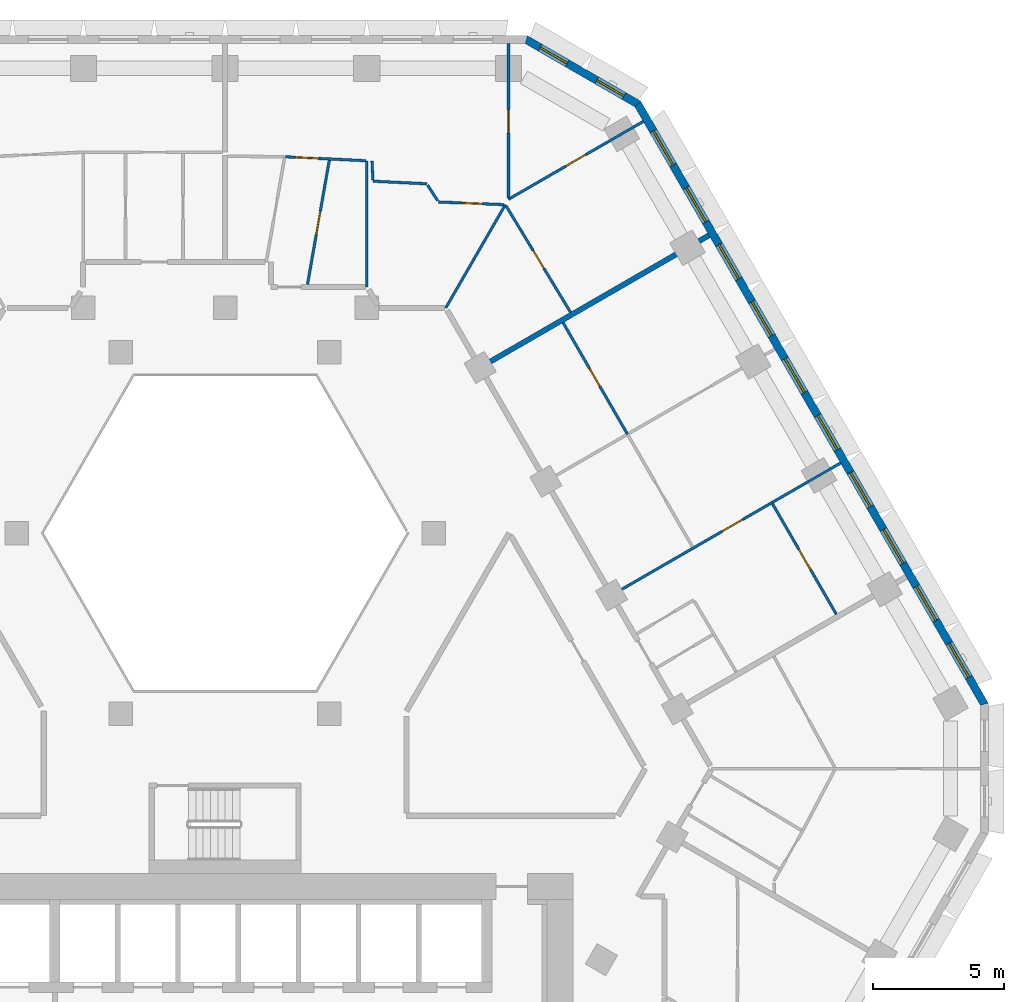
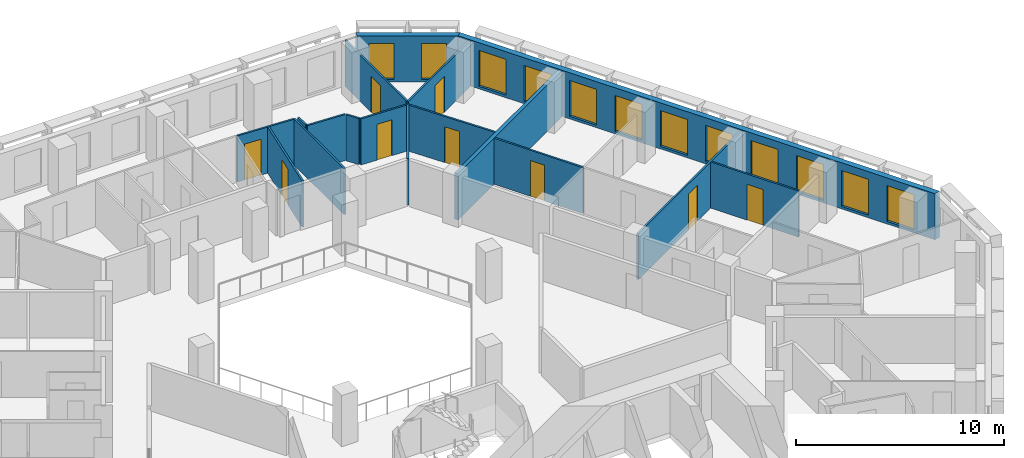
# One storey, part 10 of 18: 17 walls, 12 windows, 9 doors, 21 openings.
"""IFC4 building model written with IfcOpenShell, lengths in metres."""

from ifc_helpers import new_model, si_unit, direction, frame, frame_2d, origin, place, context, subcontext, project, spatial, polyline, rectangle, outline, extrude, material, layer, layer_set, type_object, element, fill, save


model = new_model("IFC4")

# Units and contexts
model_context = context("Model", 3, precision=1e-05, world=origin(), true_north=direction((0.0, 1.0)))
body_context = subcontext(model_context, "Body", "Model", "MODEL_VIEW")
ifc_project = project(units=[si_unit("LENGTHUNIT", "METRE"), si_unit("AREAUNIT", "SQUARE_METRE"), si_unit("VOLUMEUNIT", "CUBIC_METRE"), si_unit("PLANEANGLEUNIT", "RADIAN"), si_unit("MASSUNIT", "GRAM", prefix="KILO")], contexts=[model_context])

# Site, building, storey
site_placement = place(None, origin())
site = spatial("IfcSite", under=ifc_project, at=site_placement, CompositionType="ELEMENT")
building_placement = place(site_placement, origin())
building = spatial("IfcBuilding", under=site, at=building_placement, Name="Beryl Residences", CompositionType="ELEMENT")
storey_placement = place(building_placement, frame((0.0, 0.0, 81.0)))
storey = spatial("IfcBuildingStorey", under=building, at=storey_placement, Name="L24", CompositionType="ELEMENT", Elevation=81.0)

# Wall, openings, windows
ifc_material_1 = material(Name="Composite metal panel with mineral wool insulation")
ifc_layer_1 = layer(ifc_material_1, 0.300048828125)
ifc_layer_set_1 = layer_set([ifc_layer_1], Name="ES1 pale metal composite panel wall 300 mm")
wall_type_1 = type_object("IfcWallType", Name="ES1 pale metal composite panel wall 300 mm", PredefinedType="SOLIDWALL", material=ifc_layer_set_1)
wall_1_placement = place(storey_placement, frame((29.027099609375, 1.425048828125, 0.0), z_axis=(0.0, 0.0, 1.0), x_axis=(-0.500027479704, 0.866009537788, 0.0)))
wall_1 = element("IfcWall", 1, at=wall_1_placement, inside=storey, type_object=wall_type_1, Name="ES1 external wall L24 NE", PredefinedType="SOLIDWALL", context=body_context, shape_type="SweptSolid", body=[
    extrude(outline(polyline([(0.0, -0.14990234375), (26.55859375, -0.14990234375), (26.478271484375, 0.14990234375), (0.080322265625, 0.14990234375), (0.0, -0.14990234375)])), origin(), (0.0, 0.0, 1.0), 2.699951171875),
])
opening_1_placement = place(wall_1_placement, frame((1.22705078125, 0.0, 0.14990234375)))
opening_1 = element("IfcOpeningElement", 2, at=opening_1_placement, cuts=wall_1, Name="Opening W1", PredefinedType="OPENING", context=body_context, shape_type="SweptSolid", body=[
    extrude(rectangle(XDim=1.5, YDim=2.10009765625, at=frame_2d((0.75, 1.050048828125))), frame((0.0, 0.159912109375, 0.0), z_axis=(0.0, -1.0, 0.0), x_axis=(1.0, 0.0, 0.0)), (0.0, 0.0, 1.0), 0.320068359375),
])
opening_2_placement = place(wall_1_placement, frame((3.738037109375, 0.0, 0.14990234375)))
opening_2 = element("IfcOpeningElement", 3, at=opening_2_placement, cuts=wall_1, Name="Opening W1", PredefinedType="OPENING", context=body_context, shape_type="SweptSolid", body=[
    extrude(rectangle(XDim=1.5, YDim=2.10009765625, at=frame_2d((0.75, 1.050048828125))), frame((0.0, 0.159912109375, 0.0), z_axis=(0.0, -1.0, 0.0), x_axis=(1.0, 0.0, 0.0)), (0.0, 0.0, 1.0), 0.320068359375),
])
opening_3_placement = place(wall_1_placement, frame((6.25, 0.0, 0.14990234375)))
opening_3 = element("IfcOpeningElement", 4, at=opening_3_placement, cuts=wall_1, Name="Opening W1", PredefinedType="OPENING", context=body_context, shape_type="SweptSolid", body=[
    extrude(rectangle(XDim=1.5, YDim=2.10009765625, at=frame_2d((0.75, 1.050048828125))), frame((0.0, 0.159912109375, 0.0), z_axis=(0.0, -1.0, 0.0), x_axis=(1.0, 0.0, 0.0)), (0.0, 0.0, 1.0), 0.320068359375),
])
opening_4_placement = place(wall_1_placement, frame((8.760986328125, 0.0, 0.14990234375)))
opening_4 = element("IfcOpeningElement", 5, at=opening_4_placement, cuts=wall_1, Name="Opening W1", PredefinedType="OPENING", context=body_context, shape_type="SweptSolid", body=[
    extrude(rectangle(XDim=1.5, YDim=2.10009765625, at=frame_2d((0.75, 1.050048828125))), frame((0.0, 0.159912109375, 0.0), z_axis=(0.0, -1.0, 0.0), x_axis=(1.0, 0.0, 0.0)), (0.0, 0.0, 1.0), 0.320068359375),
])
opening_5_placement = place(wall_1_placement, frame((11.27294921875, 0.0, 0.14990234375)))
opening_5 = element("IfcOpeningElement", 6, at=opening_5_placement, cuts=wall_1, Name="Opening W1", PredefinedType="OPENING", context=body_context, shape_type="SweptSolid", body=[
    extrude(rectangle(XDim=1.5, YDim=2.10009765625, at=frame_2d((0.75, 1.050048828125))), frame((0.0, 0.159912109375, 0.0), z_axis=(0.0, -1.0, 0.0), x_axis=(1.0, 0.0, 0.0)), (0.0, 0.0, 1.0), 0.320068359375),
])
opening_6_placement = place(wall_1_placement, frame((13.784912109375, 0.0, 0.14990234375)))
opening_6 = element("IfcOpeningElement", 7, at=opening_6_placement, cuts=wall_1, Name="Opening W1", PredefinedType="OPENING", context=body_context, shape_type="SweptSolid", body=[
    extrude(rectangle(XDim=1.5, YDim=2.10009765625, at=frame_2d((0.75, 1.050048828125))), frame((0.0, 0.159912109375, 0.0), z_axis=(0.0, -1.0, 0.0), x_axis=(1.0, 0.0, 0.0)), (0.0, 0.0, 1.0), 0.320068359375),
])
opening_7_placement = place(wall_1_placement, frame((16.2958984375, 0.0, 0.14990234375)))
opening_7 = element("IfcOpeningElement", 8, at=opening_7_placement, cuts=wall_1, Name="Opening W1", PredefinedType="OPENING", context=body_context, shape_type="SweptSolid", body=[
    extrude(rectangle(XDim=1.5, YDim=2.10009765625, at=frame_2d((0.75, 1.050048828125))), frame((0.0, 0.159912109375, 0.0), z_axis=(0.0, -1.0, 0.0), x_axis=(1.0, 0.0, 0.0)), (0.0, 0.0, 1.0), 0.320068359375),
])
opening_8_placement = place(wall_1_placement, frame((18.806884765625, 0.0, 0.14990234375)))
opening_8 = element("IfcOpeningElement", 9, at=opening_8_placement, cuts=wall_1, Name="Opening W1", PredefinedType="OPENING", context=body_context, shape_type="SweptSolid", body=[
    extrude(rectangle(XDim=1.5, YDim=2.10009765625, at=frame_2d((0.75, 1.050048828125))), frame((0.0, 0.159912109375, 0.0), z_axis=(0.0, -1.0, 0.0), x_axis=(1.0, 0.0, 0.0)), (0.0, 0.0, 1.0), 0.320068359375),
])
opening_9_placement = place(wall_1_placement, frame((21.319091796875, 0.0, 0.14990234375)))
opening_9 = element("IfcOpeningElement", 10, at=opening_9_placement, cuts=wall_1, Name="Opening W1", PredefinedType="OPENING", context=body_context, shape_type="SweptSolid", body=[
    extrude(rectangle(XDim=1.5, YDim=2.10009765625, at=frame_2d((0.75, 1.050048828125))), frame((0.0, 0.159912109375, 0.0), z_axis=(0.0, -1.0, 0.0), x_axis=(1.0, 0.0, 0.0)), (0.0, 0.0, 1.0), 0.320068359375),
])
opening_10_placement = place(wall_1_placement, frame((23.8310546875, 0.0, 0.14990234375)))
opening_10 = element("IfcOpeningElement", 11, at=opening_10_placement, cuts=wall_1, Name="Opening W1", PredefinedType="OPENING", context=body_context, shape_type="SweptSolid", body=[
    extrude(rectangle(XDim=1.5, YDim=2.10009765625, at=frame_2d((0.75, 1.050048828125))), frame((0.0, 0.159912109375, 0.0), z_axis=(0.0, -1.0, 0.0), x_axis=(1.0, 0.0, 0.0)), (0.0, 0.0, 1.0), 0.320068359375),
])
ifc_material_2 = material(Name="Aluminium and clear glass", Category="aluminium")
window_type_1 = type_object("IfcWindowType", Name="W1 cell window 1500 x 2100 mm", PartitioningType="SINGLE_PANEL", PredefinedType="WINDOW", material=ifc_material_2)
window_1_placement = place(opening_1_placement, origin())
window_1 = element("IfcWindow", 12, at=window_1_placement, inside=storey, type_object=window_type_1, Name="W1 window L24 NE 1", OverallHeight=2.10009765625, OverallWidth=1.5, PartitioningType="SINGLE_PANEL", PredefinedType="WINDOW", context=body_context, shape_type="SweptSolid", body=[
    extrude(rectangle(XDim=1.5, YDim=2.10009765625, at=frame_2d((0.75, 1.050048828125))), frame((0.0, 0.030029296875, 0.0), z_axis=(0.0, -1.0, 0.0), x_axis=(1.0, 0.0, 0.0)), (0.0, 0.0, 1.0), 0.06005859375),
])
fill(opening_1, window_1)
window_2_placement = place(opening_2_placement, origin())
window_2 = element("IfcWindow", 13, at=window_2_placement, inside=storey, type_object=window_type_1, Name="W1 window L24 NE 2", OverallHeight=2.10009765625, OverallWidth=1.5, PartitioningType="SINGLE_PANEL", PredefinedType="WINDOW", context=body_context, shape_type="SweptSolid", body=[
    extrude(rectangle(XDim=1.5, YDim=2.10009765625, at=frame_2d((0.75, 1.050048828125))), frame((0.0, 0.030029296875, 0.0), z_axis=(0.0, -1.0, 0.0), x_axis=(1.0, 0.0, 0.0)), (0.0, 0.0, 1.0), 0.06005859375),
])
fill(opening_2, window_2)
window_3_placement = place(opening_3_placement, origin())
window_3 = element("IfcWindow", 14, at=window_3_placement, inside=storey, type_object=window_type_1, Name="W1 window L24 NE 3", OverallHeight=2.10009765625, OverallWidth=1.5, PartitioningType="SINGLE_PANEL", PredefinedType="WINDOW", context=body_context, shape_type="SweptSolid", body=[
    extrude(rectangle(XDim=1.5, YDim=2.10009765625, at=frame_2d((0.75, 1.050048828125))), frame((0.0, 0.030029296875, 0.0), z_axis=(0.0, -1.0, 0.0), x_axis=(1.0, 0.0, 0.0)), (0.0, 0.0, 1.0), 0.06005859375),
])
fill(opening_3, window_3)
window_4_placement = place(opening_4_placement, origin())
window_4 = element("IfcWindow", 15, at=window_4_placement, inside=storey, type_object=window_type_1, Name="W1 window L24 NE 4", OverallHeight=2.10009765625, OverallWidth=1.5, PartitioningType="SINGLE_PANEL", PredefinedType="WINDOW", context=body_context, shape_type="SweptSolid", body=[
    extrude(rectangle(XDim=1.5, YDim=2.10009765625, at=frame_2d((0.75, 1.050048828125))), frame((0.0, 0.030029296875, 0.0), z_axis=(0.0, -1.0, 0.0), x_axis=(1.0, 0.0, 0.0)), (0.0, 0.0, 1.0), 0.06005859375),
])
fill(opening_4, window_4)
window_5_placement = place(opening_5_placement, origin())
window_5 = element("IfcWindow", 16, at=window_5_placement, inside=storey, type_object=window_type_1, Name="W1 window L24 NE 5", OverallHeight=2.10009765625, OverallWidth=1.5, PartitioningType="SINGLE_PANEL", PredefinedType="WINDOW", context=body_context, shape_type="SweptSolid", body=[
    extrude(rectangle(XDim=1.5, YDim=2.10009765625, at=frame_2d((0.75, 1.050048828125))), frame((0.0, 0.030029296875, 0.0), z_axis=(0.0, -1.0, 0.0), x_axis=(1.0, 0.0, 0.0)), (0.0, 0.0, 1.0), 0.06005859375),
])
fill(opening_5, window_5)
window_6_placement = place(opening_6_placement, origin())
window_6 = element("IfcWindow", 17, at=window_6_placement, inside=storey, type_object=window_type_1, Name="W1 window L24 NE 6", OverallHeight=2.10009765625, OverallWidth=1.5, PartitioningType="SINGLE_PANEL", PredefinedType="WINDOW", context=body_context, shape_type="SweptSolid", body=[
    extrude(rectangle(XDim=1.5, YDim=2.10009765625, at=frame_2d((0.75, 1.050048828125))), frame((0.0, 0.030029296875, 0.0), z_axis=(0.0, -1.0, 0.0), x_axis=(1.0, 0.0, 0.0)), (0.0, 0.0, 1.0), 0.06005859375),
])
fill(opening_6, window_6)
window_7_placement = place(opening_7_placement, origin())
window_7 = element("IfcWindow", 18, at=window_7_placement, inside=storey, type_object=window_type_1, Name="W1 window L24 NE 7", OverallHeight=2.10009765625, OverallWidth=1.5, PartitioningType="SINGLE_PANEL", PredefinedType="WINDOW", context=body_context, shape_type="SweptSolid", body=[
    extrude(rectangle(XDim=1.5, YDim=2.10009765625, at=frame_2d((0.75, 1.050048828125))), frame((0.0, 0.030029296875, 0.0), z_axis=(0.0, -1.0, 0.0), x_axis=(1.0, 0.0, 0.0)), (0.0, 0.0, 1.0), 0.06005859375),
])
fill(opening_7, window_7)
window_8_placement = place(opening_8_placement, origin())
window_8 = element("IfcWindow", 19, at=window_8_placement, inside=storey, type_object=window_type_1, Name="W1 window L24 NE 8", OverallHeight=2.10009765625, OverallWidth=1.5, PartitioningType="SINGLE_PANEL", PredefinedType="WINDOW", context=body_context, shape_type="SweptSolid", body=[
    extrude(rectangle(XDim=1.5, YDim=2.10009765625, at=frame_2d((0.75, 1.050048828125))), frame((0.0, 0.030029296875, 0.0), z_axis=(0.0, -1.0, 0.0), x_axis=(1.0, 0.0, 0.0)), (0.0, 0.0, 1.0), 0.06005859375),
])
fill(opening_8, window_8)
window_9_placement = place(opening_9_placement, origin())
window_9 = element("IfcWindow", 20, at=window_9_placement, inside=storey, type_object=window_type_1, Name="W1 window L24 NE 9", OverallHeight=2.10009765625, OverallWidth=1.5, PartitioningType="SINGLE_PANEL", PredefinedType="WINDOW", context=body_context, shape_type="SweptSolid", body=[
    extrude(rectangle(XDim=1.5, YDim=2.10009765625, at=frame_2d((0.75, 1.050048828125))), frame((0.0, 0.030029296875, 0.0), z_axis=(0.0, -1.0, 0.0), x_axis=(1.0, 0.0, 0.0)), (0.0, 0.0, 1.0), 0.06005859375),
])
fill(opening_9, window_9)
window_10_placement = place(opening_10_placement, origin())
window_10 = element("IfcWindow", 21, at=window_10_placement, inside=storey, type_object=window_type_1, Name="W1 window L24 NE 10", OverallHeight=2.10009765625, OverallWidth=1.5, PartitioningType="SINGLE_PANEL", PredefinedType="WINDOW", context=body_context, shape_type="SweptSolid", body=[
    extrude(rectangle(XDim=1.5, YDim=2.10009765625, at=frame_2d((0.75, 1.050048828125))), frame((0.0, 0.030029296875, 0.0), z_axis=(0.0, -1.0, 0.0), x_axis=(1.0, 0.0, 0.0)), (0.0, 0.0, 1.0), 0.06005859375),
])
fill(opening_10, window_10)

wall_2_placement = place(storey_placement, frame((15.802001953125, 24.3701171875, 0.0), z_axis=(0.0, 0.0, 1.0), x_axis=(-0.866022959057, 0.500004234368, 0.0)))
wall_2 = element("IfcWall", 22, at=wall_2_placement, inside=storey, type_object=wall_type_1, Name="ES1 external wall L24 NE-N", PredefinedType="SOLIDWALL", context=body_context, shape_type="SweptSolid", body=[
    extrude(outline(polyline([(0.0, -0.14990234375), (5.0, -0.14990234375), (4.919677734375, 0.14990234375), (0.080322265625, 0.14990234375), (0.0, -0.14990234375)])), origin(), (0.0, 0.0, 1.0), 2.699951171875),
])
opening_11_placement = place(wall_2_placement, frame((0.64990234375, 0.0, 0.14990234375)))
opening_11 = element("IfcOpeningElement", 23, at=opening_11_placement, cuts=wall_2, Name="Opening W2", PredefinedType="OPENING", context=body_context, shape_type="SweptSolid", body=[
    extrude(rectangle(XDim=1.199951171875, YDim=2.10009765625, at=frame_2d((0.60009765625, 1.050048828125))), frame((0.0, 0.159912109375, 0.0), z_axis=(0.0, -1.0, 0.0), x_axis=(1.0, 0.0, 0.0)), (0.0, 0.0, 1.0), 0.320068359375),
])
opening_12_placement = place(wall_2_placement, frame((3.14990234375, 0.0, 0.14990234375)))
opening_12 = element("IfcOpeningElement", 24, at=opening_12_placement, cuts=wall_2, Name="Opening W2", PredefinedType="OPENING", context=body_context, shape_type="SweptSolid", body=[
    extrude(rectangle(XDim=1.199951171875, YDim=2.10009765625, at=frame_2d((0.60009765625, 1.050048828125))), frame((0.0, 0.159912109375, 0.0), z_axis=(0.0, -1.0, 0.0), x_axis=(1.0, 0.0, 0.0)), (0.0, 0.0, 1.0), 0.320068359375),
])
ifc_material_3 = material(Name="Aluminium and clear glass", Category="aluminium")
window_type_2 = type_object("IfcWindowType", Name="W2 chamfer window 1200 x 2100 mm", PartitioningType="SINGLE_PANEL", PredefinedType="WINDOW", material=ifc_material_3)
window_11_placement = place(opening_11_placement, origin())
window_11 = element("IfcWindow", 25, at=window_11_placement, inside=storey, type_object=window_type_2, Name="W2 window L24 NE-N 1", OverallHeight=2.10009765625, OverallWidth=1.199951171875, PartitioningType="SINGLE_PANEL", PredefinedType="WINDOW", context=body_context, shape_type="SweptSolid", body=[
    extrude(rectangle(XDim=1.199951171875, YDim=2.10009765625, at=frame_2d((0.60009765625, 1.050048828125))), frame((0.0, 0.030029296875, 0.0), z_axis=(0.0, -1.0, 0.0), x_axis=(1.0, 0.0, 0.0)), (0.0, 0.0, 1.0), 0.06005859375),
])
fill(opening_11, window_11)
window_12_placement = place(opening_12_placement, origin())
window_12 = element("IfcWindow", 26, at=window_12_placement, inside=storey, type_object=window_type_2, Name="W2 window L24 NE-N 2", OverallHeight=2.10009765625, OverallWidth=1.199951171875, PartitioningType="SINGLE_PANEL", PredefinedType="WINDOW", context=body_context, shape_type="SweptSolid", body=[
    extrude(rectangle(XDim=1.199951171875, YDim=2.10009765625, at=frame_2d((0.60009765625, 1.050048828125))), frame((0.0, 0.030029296875, 0.0), z_axis=(0.0, -1.0, 0.0), x_axis=(1.0, 0.0, 0.0)), (0.0, 0.0, 1.0), 0.06005859375),
])
fill(opening_12, window_12)

# Wall
ifc_material_4 = material(Name="Gypsum board partition on steel studs", Category="steel")
ifc_layer_2 = layer(ifc_material_4, 0.10009765625)
ifc_layer_set_2 = layer_set([ifc_layer_2], Name="PT1 partition 100 mm gypsum board on steel studs")
wall_type_2 = type_object("IfcWallType", Name="PT1 partition 100 mm gypsum board on steel studs", PredefinedType="PARTITIONING", material=ifc_layer_set_2)
wall_3_placement = place(storey_placement, frame((7.737060546875, 21.291015625, 0.0), z_axis=(0.0, 0.0, 1.0), x_axis=(0.540389876456, -0.841414749944, 0.0)))
element("IfcWall", 27, at=wall_3_placement, inside=storey, type_object=wall_type_2, Name="Wall PT1 L24 002", PredefinedType="PARTITIONING", context=body_context, shape_type="SweptSolid", body=[
    extrude(rectangle(XDim=0.704833984375, YDim=0.10009765625, at=frame_2d((0.3525390625, 0.0))), origin(), (0.0, 0.0, 1.0), 2.699951171875),
])

# Wall, opening, door
wall_4_placement = place(storey_placement, frame((10.738037109375, 20.491943359375, 0.0), z_axis=(0.0, 0.0, 1.0), x_axis=(0.518100976056, -0.855319459974, 0.0)))
wall_4 = element("IfcWall", 28, at=wall_4_placement, inside=storey, type_object=wall_type_2, Name="Wall PT1 L24 003", PredefinedType="PARTITIONING", context=body_context, shape_type="SweptSolid", body=[
    extrude(rectangle(XDim=4.744384765625, YDim=0.10009765625, at=frame_2d((2.3720703125, 0.0))), origin(), (0.0, 0.0, 1.0), 2.699951171875),
])
opening_13_placement = place(wall_4_placement, frame((1.991943359375, 0.0, 0.0)))
opening_13 = element("IfcOpeningElement", 29, at=opening_13_placement, cuts=wall_4, Name="Opening D0665", PredefinedType="OPENING", context=body_context, shape_type="SweptSolid", body=[
    extrude(rectangle(XDim=0.800048828125, YDim=2.10009765625, at=frame_2d((0.39990234375, 1.050048828125))), frame((0.0, 0.06005859375, 0.0), z_axis=(0.0, -1.0, 0.0), x_axis=(1.0, 0.0, 0.0)), (0.0, 0.0, 1.0), 0.1201171875),
])
ifc_material_5 = material(Name="Timber door leaf", Category="wood")
door_type_1 = type_object("IfcDoorType", Name="D3 bathroom door 800 x 2100 mm", OperationType="SINGLE_SWING_LEFT", PredefinedType="DOOR", material=ifc_material_5)
door_1_placement = place(opening_13_placement, origin())
door_1 = element("IfcDoor", 30, at=door_1_placement, inside=storey, type_object=door_type_1, Name="Door D0665 L24 001", OperationType="SINGLE_SWING_LEFT", OverallHeight=2.10009765625, OverallWidth=0.800048828125, PredefinedType="DOOR", context=body_context, shape_type="SweptSolid", body=[
    extrude(rectangle(XDim=0.800048828125, YDim=2.10009765625, at=frame_2d((0.39990234375, 1.050048828125))), frame((0.0, 0.02490234375, 0.0), z_axis=(0.0, -1.0, 0.0), x_axis=(1.0, 0.0, 0.0)), (0.0, 0.0, 1.0), 0.050048828125),
])
fill(opening_13, door_1)

wall_5_placement = place(storey_placement, frame((12.910888671875, 16.0380859375, 0.0), z_axis=(0.0, 0.0, 1.0), x_axis=(0.499974319101, -0.866040230151, 0.0)))
wall_5 = element("IfcWall", 31, at=wall_5_placement, inside=storey, type_object=wall_type_2, Name="Wall PT1 L24 006", PredefinedType="PARTITIONING", context=body_context, shape_type="SweptSolid", body=[
    extrude(rectangle(XDim=4.922607421875, YDim=0.10009765625, at=frame_2d((2.46142578125, 0.0))), origin(), (0.0, 0.0, 1.0), 2.699951171875),
])
opening_14_placement = place(wall_5_placement, frame((2.011962890625, 0.0, 0.0)))
opening_14 = element("IfcOpeningElement", 32, at=opening_14_placement, cuts=wall_5, Name="Opening D0657", PredefinedType="OPENING", context=body_context, shape_type="SweptSolid", body=[
    extrude(rectangle(XDim=0.800048828125, YDim=2.10009765625, at=frame_2d((0.39990234375, 1.050048828125))), frame((0.0, 0.06005859375, 0.0), z_axis=(0.0, -1.0, 0.0), x_axis=(1.0, 0.0, 0.0)), (0.0, 0.0, 1.0), 0.1201171875),
])
door_2_placement = place(opening_14_placement, origin())
door_2 = element("IfcDoor", 33, at=door_2_placement, inside=storey, type_object=door_type_1, Name="Door D0657 L24 001", OperationType="SINGLE_SWING_LEFT", OverallHeight=2.10009765625, OverallWidth=0.800048828125, PredefinedType="DOOR", context=body_context, shape_type="SweptSolid", body=[
    extrude(rectangle(XDim=0.800048828125, YDim=2.10009765625, at=frame_2d((0.39990234375, 1.050048828125))), frame((0.0, 0.02490234375, 0.0), z_axis=(0.0, -1.0, 0.0), x_axis=(1.0, 0.0, 0.0)), (0.0, 0.0, 1.0), 0.050048828125),
])
fill(opening_14, door_2)

wall_6_placement = place(storey_placement, frame((20.9140625, 9.116943359375, 0.0), z_axis=(0.0, 0.0, 1.0), x_axis=(0.500007182864, -0.866021256716, 0.0)))
wall_6 = element("IfcWall", 34, at=wall_6_placement, inside=storey, type_object=wall_type_2, Name="Wall PT1 L24 007", PredefinedType="PARTITIONING", context=body_context, shape_type="SweptSolid", body=[
    extrude(rectangle(XDim=4.8740234375, YDim=0.10009765625, at=frame_2d((2.43701171875, 0.0))), origin(), (0.0, 0.0, 1.0), 2.699951171875),
])
opening_15_placement = place(wall_6_placement, frame((2.011962890625, 0.0, 0.0)))
opening_15 = element("IfcOpeningElement", 35, at=opening_15_placement, cuts=wall_6, Name="Opening D0653", PredefinedType="OPENING", context=body_context, shape_type="SweptSolid", body=[
    extrude(rectangle(XDim=0.89990234375, YDim=2.10009765625, at=frame_2d((0.449951171875, 1.050048828125))), frame((0.0, 0.06005859375, 0.0), z_axis=(0.0, -1.0, 0.0), x_axis=(1.0, 0.0, 0.0)), (0.0, 0.0, 1.0), 0.1201171875),
])
ifc_material_6 = material(Name="Timber door leaf", Category="wood")
door_type_2 = type_object("IfcDoorType", Name="D2 room door 900 x 2100 mm", OperationType="SINGLE_SWING_LEFT", PredefinedType="DOOR", material=ifc_material_6)
door_3_placement = place(opening_15_placement, origin())
door_3 = element("IfcDoor", 36, at=door_3_placement, inside=storey, type_object=door_type_2, Name="Door D0653 L24 001", OperationType="SINGLE_SWING_LEFT", OverallHeight=2.10009765625, OverallWidth=0.89990234375, PredefinedType="DOOR", context=body_context, shape_type="SweptSolid", body=[
    extrude(rectangle(XDim=0.89990234375, YDim=2.10009765625, at=frame_2d((0.449951171875, 1.050048828125))), frame((0.0, 0.02490234375, 0.0), z_axis=(0.0, -1.0, 0.0), x_axis=(1.0, 0.0, 0.0)), (0.0, 0.0, 1.0), 0.050048828125),
])
fill(opening_15, door_3)

# Wall
wall_7_placement = place(storey_placement, frame((5.611083984375, 22.2119140625, 0.0), z_axis=(0.0, 0.0, 1.0), x_axis=(0.048368650834, -0.998829551834, 0.0)))
element("IfcWall", 37, at=wall_7_placement, inside=storey, type_object=wall_type_2, Name="Wall PT1 L24 011", PredefinedType="PARTITIONING", context=body_context, shape_type="SweptSolid", body=[
    extrude(rectangle(XDim=0.7216796875, YDim=0.10009765625, at=frame_2d((0.36083984375, 0.0))), origin(), (0.0, 0.0, 1.0), 2.699951171875),
])

# Wall, opening, door
wall_8_placement = place(storey_placement, frame((8.15087890625, 20.64697265625, 0.0), z_axis=(0.0, 0.0, 1.0), x_axis=(0.999167241152, -0.040802257405, 0.0)))
wall_8 = element("IfcWall", 38, at=wall_8_placement, inside=storey, type_object=wall_type_2, Name="Wall PT1 L24 020", PredefinedType="PARTITIONING", context=body_context, shape_type="SweptSolid", body=[
    extrude(rectangle(XDim=2.501220703125, YDim=0.10009765625, at=frame_2d((1.25048828125, 0.0))), origin(), (0.0, 0.0, 1.0), 2.699951171875),
])
opening_16_placement = place(wall_8_placement, frame((0.87890625, 0.0, 0.0)))
opening_16 = element("IfcOpeningElement", 39, at=opening_16_placement, cuts=wall_8, Name="Opening D0663", PredefinedType="OPENING", context=body_context, shape_type="SweptSolid", body=[
    extrude(rectangle(XDim=0.800048828125, YDim=2.10009765625, at=frame_2d((0.39990234375, 1.050048828125))), frame((0.0, 0.06005859375, 0.0), z_axis=(0.0, -1.0, 0.0), x_axis=(1.0, 0.0, 0.0)), (0.0, 0.0, 1.0), 0.1201171875),
])
door_4_placement = place(opening_16_placement, origin())
door_4 = element("IfcDoor", 40, at=door_4_placement, inside=storey, type_object=door_type_1, Name="Door D0663 L24 001", OperationType="SINGLE_SWING_LEFT", OverallHeight=2.10009765625, OverallWidth=0.800048828125, PredefinedType="DOOR", context=body_context, shape_type="SweptSolid", body=[
    extrude(rectangle(XDim=0.800048828125, YDim=2.10009765625, at=frame_2d((0.39990234375, 1.050048828125))), frame((0.0, 0.02490234375, 0.0), z_axis=(0.0, -1.0, 0.0), x_axis=(1.0, 0.0, 0.0)), (0.0, 0.0, 1.0), 0.050048828125),
])
fill(opening_16, door_4)

# Wall
wall_9_placement = place(storey_placement, frame((5.64892578125, 21.44091796875, 0.0), z_axis=(0.0, 0.0, 1.0), x_axis=(0.998867332207, -0.047582062273, 0.0)))
element("IfcWall", 41, at=wall_9_placement, inside=storey, type_object=wall_type_2, Name="Wall PT1 L24 021", PredefinedType="PARTITIONING", context=body_context, shape_type="SweptSolid", body=[
    extrude(rectangle(XDim=2.0576171875, YDim=0.10009765625, at=frame_2d((1.02880859375, 0.0))), origin(), (0.0, 0.0, 1.0), 2.699951171875),
])

# Wall, opening, door
wall_10_placement = place(storey_placement, frame((2.306884765625, 22.3740234375, 0.0), z_axis=(0.0, 0.0, 1.0), x_axis=(0.998794685853, -0.049083352695, 0.0)))
wall_10 = element("IfcWall", 42, at=wall_10_placement, inside=storey, type_object=wall_type_2, Name="Wall PT1 L24 022", PredefinedType="PARTITIONING", context=body_context, shape_type="SweptSolid", body=[
    extrude(rectangle(XDim=3.078857421875, YDim=0.10009765625, at=frame_2d((1.53955078125, 0.0))), origin(), (0.0, 0.0, 1.0), 2.699951171875),
])
opening_17_placement = place(wall_10_placement, frame((0.3759765625, 0.0, 0.0)))
opening_17 = element("IfcOpeningElement", 43, at=opening_17_placement, cuts=wall_10, Name="Opening D0661", PredefinedType="OPENING", context=body_context, shape_type="SweptSolid", body=[
    extrude(rectangle(XDim=0.89990234375, YDim=2.10009765625, at=frame_2d((0.449951171875, 1.050048828125))), frame((0.0, 0.06005859375, 0.0), z_axis=(0.0, -1.0, 0.0), x_axis=(1.0, 0.0, 0.0)), (0.0, 0.0, 1.0), 0.1201171875),
])
door_5_placement = place(opening_17_placement, origin())
door_5 = element("IfcDoor", 44, at=door_5_placement, inside=storey, type_object=door_type_2, Name="Door D0661 L24 001", OperationType="SINGLE_SWING_LEFT", OverallHeight=2.10009765625, OverallWidth=0.89990234375, PredefinedType="DOOR", context=body_context, shape_type="SweptSolid", body=[
    extrude(rectangle(XDim=0.89990234375, YDim=2.10009765625, at=frame_2d((0.449951171875, 1.050048828125))), frame((0.0, 0.02490234375, 0.0), z_axis=(0.0, -1.0, 0.0), x_axis=(1.0, 0.0, 0.0)), (0.0, 0.0, 1.0), 0.050048828125),
])
fill(opening_17, door_5)

# Wall
wall_11_placement = place(storey_placement, frame((8.429931640625, 16.60009765625, 0.0), z_axis=(0.0, 0.0, 1.0), x_axis=(0.499951460778, 0.866053426104, 0.0)))
element("IfcWall", 45, at=wall_11_placement, inside=storey, type_object=wall_type_2, Name="Wall PT1 L24 041", PredefinedType="PARTITIONING", context=body_context, shape_type="SweptSolid", body=[
    extrude(rectangle(XDim=4.552734375, YDim=0.10009765625, at=frame_2d((2.2763671875, 0.0))), origin(), (0.0, 0.0, 1.0), 2.699951171875),
])

# Wall, opening, door
wall_12_placement = place(storey_placement, frame((3.14794921875, 17.5, 0.0), z_axis=(0.0, 0.0, 1.0), x_axis=(0.172821918451, 0.984953087463, 0.0)))
wall_12 = element("IfcWall", 46, at=wall_12_placement, inside=storey, type_object=wall_type_2, Name="Wall PT1 L24 049", PredefinedType="PARTITIONING", context=body_context, shape_type="SweptSolid", body=[
    extrude(rectangle(XDim=4.814453125, YDim=0.10009765625, at=frame_2d((2.4072265625, 0.0))), origin(), (0.0, 0.0, 1.0), 2.699951171875),
])
opening_18_placement = place(wall_12_placement, frame((1.931884765625, 0.0, 0.0)))
opening_18 = element("IfcOpeningElement", 47, at=opening_18_placement, cuts=wall_12, Name="Opening D0659", PredefinedType="OPENING", context=body_context, shape_type="SweptSolid", body=[
    extrude(rectangle(XDim=0.89990234375, YDim=2.10009765625, at=frame_2d((0.449951171875, 1.050048828125))), frame((0.0, 0.06005859375, 0.0), z_axis=(0.0, -1.0, 0.0), x_axis=(1.0, 0.0, 0.0)), (0.0, 0.0, 1.0), 0.1201171875),
])
door_6_placement = place(opening_18_placement, origin())
door_6 = element("IfcDoor", 48, at=door_6_placement, inside=storey, type_object=door_type_2, Name="Door D0659 L24 001", OperationType="SINGLE_SWING_LEFT", OverallHeight=2.10009765625, OverallWidth=0.89990234375, PredefinedType="DOOR", context=body_context, shape_type="SweptSolid", body=[
    extrude(rectangle(XDim=0.89990234375, YDim=2.10009765625, at=frame_2d((0.449951171875, 1.050048828125))), frame((0.0, 0.02490234375, 0.0), z_axis=(0.0, -1.0, 0.0), x_axis=(1.0, 0.0, 0.0)), (0.0, 0.0, 1.0), 0.050048828125),
])
fill(opening_18, door_6)

# Wall
wall_13_placement = place(storey_placement, frame((5.412109375, 17.39990234375, 0.0), z_axis=(0.0, 0.0, 1.0), x_axis=(0.0, 1.0, 0.0)))
element("IfcWall", 49, at=wall_13_placement, inside=storey, type_object=wall_type_2, Name="Wall PT1 L24 055", PredefinedType="PARTITIONING", context=body_context, shape_type="SweptSolid", body=[
    extrude(rectangle(XDim=4.822021484375, YDim=0.10009765625, at=frame_2d((2.4111328125, 0.0))), origin(), (0.0, 0.0, 1.0), 2.699951171875),
])

# Wall, opening, door
wall_14_placement = place(storey_placement, frame((10.824951171875, 20.805908203125, 0.0), z_axis=(0.0, 0.0, 1.0), x_axis=(0.0, 1.0, 0.0)))
wall_14 = element("IfcWall", 50, at=wall_14_placement, inside=storey, type_object=wall_type_2, Name="Wall PT1 L24 058", PredefinedType="PARTITIONING", context=body_context, shape_type="SweptSolid", body=[
    extrude(rectangle(XDim=5.89404296875, YDim=0.10009765625, at=frame_2d((2.947021484375, 0.0))), origin(), (0.0, 0.0, 1.0), 2.699951171875),
])
opening_19_placement = place(wall_14_placement, frame((2.468017578125, 0.0, 0.0)))
opening_19 = element("IfcOpeningElement", 51, at=opening_19_placement, cuts=wall_14, Name="Opening D0662", PredefinedType="OPENING", context=body_context, shape_type="SweptSolid", body=[
    extrude(rectangle(XDim=0.89990234375, YDim=2.10009765625, at=frame_2d((0.449951171875, 1.050048828125))), frame((0.0, 0.06005859375, 0.0), z_axis=(0.0, -1.0, 0.0), x_axis=(1.0, 0.0, 0.0)), (0.0, 0.0, 1.0), 0.1201171875),
])
door_7_placement = place(opening_19_placement, origin())
door_7 = element("IfcDoor", 52, at=door_7_placement, inside=storey, type_object=door_type_2, Name="Door D0662 L24 001", OperationType="SINGLE_SWING_RIGHT", OverallHeight=2.10009765625, OverallWidth=0.89990234375, PredefinedType="DOOR", context=body_context, shape_type="SweptSolid", body=[
    extrude(rectangle(XDim=0.89990234375, YDim=2.10009765625, at=frame_2d((0.449951171875, 1.050048828125))), frame((0.0, 0.02490234375, 0.0), z_axis=(0.0, -1.0, 0.0), x_axis=(1.0, 0.0, 0.0)), (0.0, 0.0, 1.0), 0.050048828125),
])
fill(opening_19, door_7)

wall_15_placement = place(storey_placement, frame((14.85302734375, 5.675048828125, 0.0), z_axis=(0.0, 0.0, 1.0), x_axis=(0.866016855193, 0.500014806302, 0.0)))
wall_15 = element("IfcWall", 53, at=wall_15_placement, inside=storey, type_object=wall_type_2, Name="Wall PT1 L24 070", PredefinedType="PARTITIONING", context=body_context, shape_type="SweptSolid", body=[
    extrude(rectangle(XDim=9.999755859375, YDim=0.10009765625, at=frame_2d((5.0, 0.0))), origin(), (0.0, 0.0, 1.0), 2.699951171875),
])
opening_20_placement = place(wall_15_placement, frame((4.77490234375, 0.0, 0.0)))
opening_20 = element("IfcOpeningElement", 54, at=opening_20_placement, cuts=wall_15, Name="Opening D0654", PredefinedType="OPENING", context=body_context, shape_type="SweptSolid", body=[
    extrude(rectangle(XDim=0.89990234375, YDim=2.10009765625, at=frame_2d((0.449951171875, 1.050048828125))), frame((0.0, 0.06005859375, 0.0), z_axis=(0.0, -1.0, 0.0), x_axis=(1.0, 0.0, 0.0)), (0.0, 0.0, 1.0), 0.1201171875),
])
door_8_placement = place(opening_20_placement, origin())
door_8 = element("IfcDoor", 55, at=door_8_placement, inside=storey, type_object=door_type_2, Name="Door D0654 L24 001", OperationType="SINGLE_SWING_RIGHT", OverallHeight=2.10009765625, OverallWidth=0.89990234375, PredefinedType="DOOR", context=body_context, shape_type="SweptSolid", body=[
    extrude(rectangle(XDim=0.89990234375, YDim=2.10009765625, at=frame_2d((0.449951171875, 1.050048828125))), frame((0.0, 0.02490234375, 0.0), z_axis=(0.0, -1.0, 0.0), x_axis=(1.0, 0.0, 0.0)), (0.0, 0.0, 1.0), 0.050048828125),
])
fill(opening_20, door_8)

wall_16_placement = place(storey_placement, frame((10.825927734375, 20.75, 0.0), z_axis=(0.0, 0.0, 1.0), x_axis=(0.865986712877, 0.50006700863, 0.0)))
wall_16 = element("IfcWall", 56, at=wall_16_placement, inside=storey, type_object=wall_type_2, Name="Wall PT1 L24 074", PredefinedType="PARTITIONING", context=body_context, shape_type="SweptSolid", body=[
    extrude(rectangle(XDim=5.949462890625, YDim=0.10009765625, at=frame_2d((2.974609375, 0.0))), origin(), (0.0, 0.0, 1.0), 2.699951171875),
])
opening_21_placement = place(wall_16_placement, frame((2.52392578125, 0.0, 0.0)))
opening_21 = element("IfcOpeningElement", 57, at=opening_21_placement, cuts=wall_16, Name="Opening D0664", PredefinedType="OPENING", context=body_context, shape_type="SweptSolid", body=[
    extrude(rectangle(XDim=0.89990234375, YDim=2.10009765625, at=frame_2d((0.449951171875, 1.050048828125))), frame((0.0, 0.06005859375, 0.0), z_axis=(0.0, -1.0, 0.0), x_axis=(1.0, 0.0, 0.0)), (0.0, 0.0, 1.0), 0.1201171875),
])
door_9_placement = place(opening_21_placement, origin())
door_9 = element("IfcDoor", 58, at=door_9_placement, inside=storey, type_object=door_type_2, Name="Door D0664 L24 001", OperationType="SINGLE_SWING_RIGHT", OverallHeight=2.10009765625, OverallWidth=0.89990234375, PredefinedType="DOOR", context=body_context, shape_type="SweptSolid", body=[
    extrude(rectangle(XDim=0.89990234375, YDim=2.10009765625, at=frame_2d((0.449951171875, 1.050048828125))), frame((0.0, 0.02490234375, 0.0), z_axis=(0.0, -1.0, 0.0), x_axis=(1.0, 0.0, 0.0)), (0.0, 0.0, 1.0), 0.050048828125),
])
fill(opening_21, door_9)

# Wall
ifc_material_7 = material(Name="Acoustic double stud gypsum board wall")
ifc_layer_3 = layer(ifc_material_7, 0.199951171875)
ifc_layer_set_3 = layer_set([ifc_layer_3], Name="PT3 party wall 200 mm acoustic double stud")
wall_type_3 = type_object("IfcWallType", Name="PT3 party wall 200 mm acoustic double stud", PredefinedType="PARTITIONING", material=ifc_layer_set_3)
wall_17_placement = place(storey_placement, frame((9.830078125, 14.375, 0.0), z_axis=(0.0, 0.0, 1.0), x_axis=(0.866016855193, 0.500014806302, 0.0)))
element("IfcWall", 59, at=wall_17_placement, inside=storey, type_object=wall_type_3, Name="Wall PT3 L24 012", PredefinedType="PARTITIONING", context=body_context, shape_type="SweptSolid", body=[
    extrude(rectangle(XDim=9.999755859375, YDim=0.199951171875, at=frame_2d((5.0, 0.0))), origin(), (0.0, 0.0, 1.0), 2.699951171875),
])

save(model, "model.ifc")
